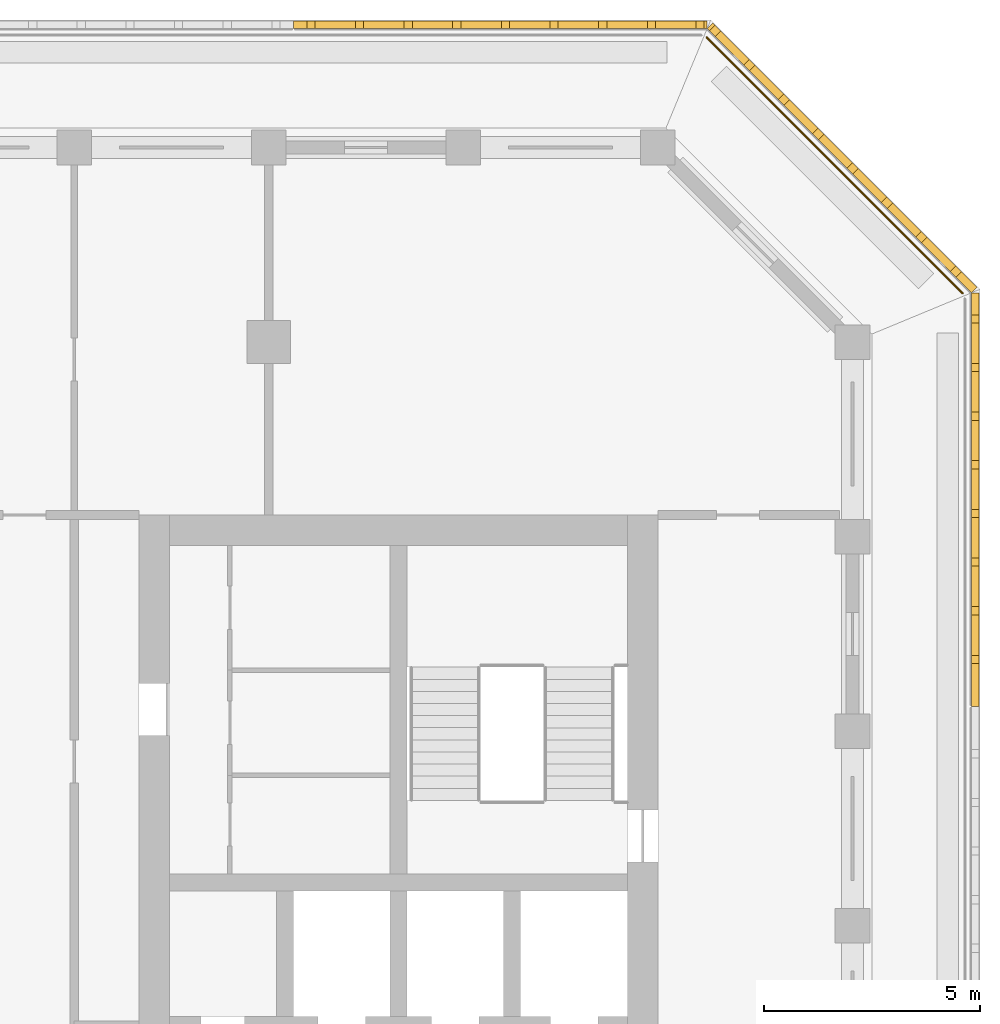
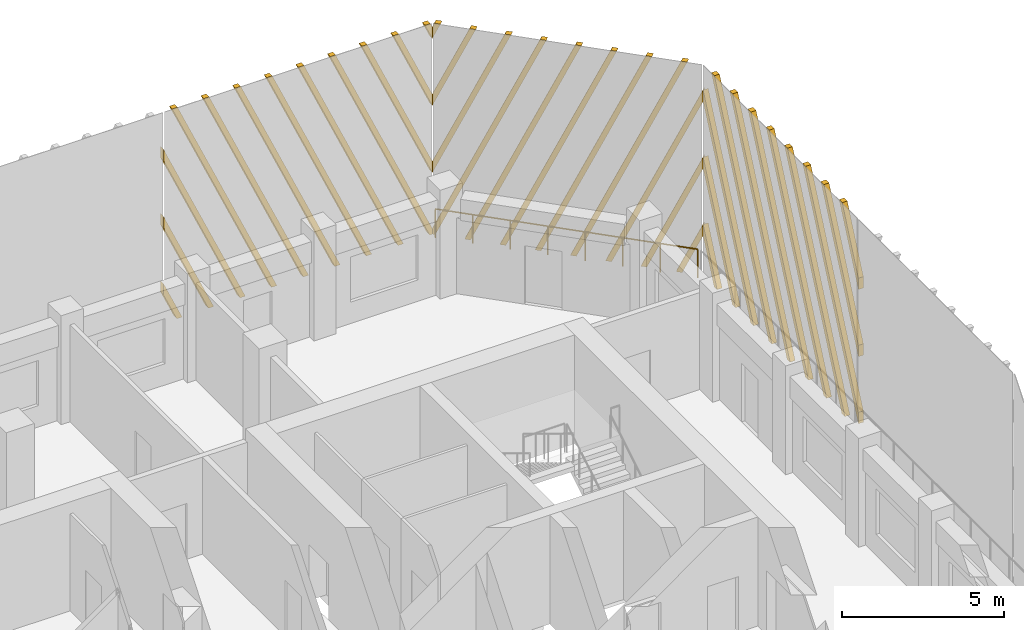
# One storey, part 14 of 15: 3 shading devices, 1 railing.
"""IFC4 building model written with IfcOpenShell, lengths in metres."""

from ifc_helpers import new_model, si_unit, direction, frame, origin, origin_2d, place, context, subcontext, project, spatial, polyline, circle, outline, extrude, source, transform, mapped, material, type_object, element, save


model = new_model("IFC4")

# Units and contexts
model_context = context("Model", 3, precision=1e-05, world=origin(), true_north=direction((0.0, 1.0)))
body_context = subcontext(model_context, "Body", "Model", "MODEL_VIEW")
ifc_project = project(units=[si_unit("LENGTHUNIT", "METRE"), si_unit("AREAUNIT", "SQUARE_METRE"), si_unit("VOLUMEUNIT", "CUBIC_METRE"), si_unit("PLANEANGLEUNIT", "RADIAN"), si_unit("MASSUNIT", "GRAM", prefix="KILO")], contexts=[model_context])

# Site, building, storey
site_placement = place(None, origin())
site = spatial("IfcSite", under=ifc_project, at=site_placement, CompositionType="ELEMENT")
building_placement = place(site_placement, origin())
building = spatial("IfcBuilding", under=site, at=building_placement, Name="Corbel Stack Research Tower", CompositionType="ELEMENT")
storey_placement = place(building_placement, frame((0.0, 0.0, 282.699951171875)))
storey = spatial("IfcBuildingStorey", under=building, at=storey_placement, Name="L64", CompositionType="ELEMENT", Elevation=282.699951171875)

# Railing
ifc_material_1 = material(Name="Powder-coated steel guard", Category="steel")
railing_type = type_object("IfcRailingType", Name="Steel and glass guard 1100", PredefinedType="GUARDRAIL", material=ifc_material_1)
railing_placement = place(storey_placement, frame((25.04931640625, 23.627685546875, 0.0)))
element("IfcRailing", 1, at=railing_placement, inside=storey, type_object=railing_type, Name="Loggia guard L64 NE", PredefinedType="GUARDRAIL", context=body_context, shape_type="SweptSolid", body=[
    extrude(circle(Radius=0.02392578125, at=origin_2d()), frame((0.0, 0.0, 1.076171875), z_axis=(-0.707106781187, 0.707106781187, 0.0), x_axis=(-0.707106781187, -0.707106781187, 0.0)), (0.0, 0.0, 1.0), 8.37451171875),
    extrude(circle(Radius=0.02099609375, at=origin_2d()), origin(), (0.0, 0.0, 1.0), 1.052001953125),
    extrude(circle(Radius=0.02099609375, at=origin_2d()), frame((-0.845947265625, 0.845947265625, 0.0)), (0.0, 0.0, 1.0), 1.052001953125),
    extrude(circle(Radius=0.02099609375, at=origin_2d()), frame((-1.69189453125, 1.69189453125, 0.0)), (0.0, 0.0, 1.0), 1.052001953125),
    extrude(circle(Radius=0.02099609375, at=origin_2d()), frame((-2.537841796875, 2.537841796875, 0.0)), (0.0, 0.0, 1.0), 1.052001953125),
    extrude(circle(Radius=0.02099609375, at=origin_2d()), frame((-3.3837890625, 3.3837890625, 0.0)), (0.0, 0.0, 1.0), 1.052001953125),
    extrude(circle(Radius=0.02099609375, at=origin_2d()), frame((-4.229736328125, 4.229736328125, 0.0)), (0.0, 0.0, 1.0), 1.052001953125),
    extrude(circle(Radius=0.02099609375, at=origin_2d()), frame((-5.07568359375, 5.07568359375, 0.0)), (0.0, 0.0, 1.0), 1.052001953125),
    extrude(circle(Radius=0.02099609375, at=origin_2d()), frame((-5.921630859375, 5.921630859375, 0.0)), (0.0, 0.0, 1.0), 1.052001953125),
])

# Shading devices
ifc_material_2 = material(Name="Precast terracotta", Category="masonry")
shading_device_type = type_object("IfcShadingDeviceType", Name="Terracotta screen panel", PredefinedType="USERDEFINED", material=ifc_material_2)
shared_shape_1 = source(origin(), body_context, "Body", "SweptSolid", [
    extrude(outline(polyline([(0.259521484375, 7.949951171875), (0.069580078125, 7.949951171875), (0.0, 7.793701171875), (0.0, 7.366943359375), (0.259521484375, 7.949951171875)])), frame((0.0, 0.0, 0.0), z_axis=(0.0, -1.0, 0.0), x_axis=(1.0, 0.0, 0.0)), (0.0, 0.0, 1.0), 0.179931640625),
    extrude(outline(polyline([(1.384521484375, 7.949951171875), (1.194580078125, 7.949951171875), (0.0, 5.26708984375), (0.0, 4.840087890625), (1.384521484375, 7.949951171875)])), frame((0.0, 0.0, 0.0), z_axis=(0.0, -1.0, 0.0), x_axis=(1.0, 0.0, 0.0)), (0.0, 0.0, 1.0), 0.179931640625),
    extrude(outline(polyline([(2.509521484375, 7.949951171875), (2.319580078125, 7.949951171875), (0.0, 2.740234375), (0.0, 2.3134765625), (2.509521484375, 7.949951171875)])), frame((0.0, 0.0, 0.0), z_axis=(0.0, -1.0, 0.0), x_axis=(1.0, 0.0, 0.0)), (0.0, 0.0, 1.0), 0.179931640625),
    extrude(outline(polyline([(0.094970703125, 0.0), (3.634521484375, 7.949951171875), (3.444580078125, 7.949951171875), (0.0, 0.21337890625), (0.0, 0.0), (0.094970703125, 0.0)])), frame((0.0, 0.0, 0.0), z_axis=(0.0, -1.0, 0.0), x_axis=(1.0, 0.0, 0.0)), (0.0, 0.0, 1.0), 0.179931640625),
    extrude(outline(polyline([(1.219970703125, 0.0), (4.759521484375, 7.949951171875), (4.569580078125, 7.949951171875), (1.030029296875, 0.0), (1.219970703125, 0.0)])), frame((0.0, 0.0, 0.0), z_axis=(0.0, -1.0, 0.0), x_axis=(1.0, 0.0, 0.0)), (0.0, 0.0, 1.0), 0.179931640625),
    extrude(outline(polyline([(2.344970703125, 0.0), (5.884521484375, 7.949951171875), (5.694580078125, 7.949951171875), (2.155029296875, 0.0), (2.344970703125, 0.0)])), frame((0.0, 0.0, 0.0), z_axis=(0.0, -1.0, 0.0), x_axis=(1.0, 0.0, 0.0)), (0.0, 0.0, 1.0), 0.179931640625),
    extrude(outline(polyline([(3.469970703125, 0.0), (7.009521484375, 7.949951171875), (6.819580078125, 7.949951171875), (3.280029296875, 0.0), (3.469970703125, 0.0)])), frame((0.0, 0.0, 0.0), z_axis=(0.0, -1.0, 0.0), x_axis=(1.0, 0.0, 0.0)), (0.0, 0.0, 1.0), 0.179931640625),
    extrude(outline(polyline([(4.594970703125, 0.0), (8.134521484375, 7.949951171875), (7.944580078125, 7.949951171875), (4.405029296875, 0.0), (4.594970703125, 0.0)])), frame((0.0, 0.0, 0.0), z_axis=(0.0, -1.0, 0.0), x_axis=(1.0, 0.0, 0.0)), (0.0, 0.0, 1.0), 0.179931640625),
    extrude(outline(polyline([(5.719970703125, 0.0), (9.259521484375, 7.949951171875), (9.069580078125, 7.949951171875), (5.530029296875, 0.0), (5.719970703125, 0.0)])), frame((0.0, 0.0, 0.0), z_axis=(0.0, -1.0, 0.0), x_axis=(1.0, 0.0, 0.0)), (0.0, 0.0, 1.0), 0.179931640625),
    extrude(outline(polyline([(6.844970703125, 0.0), (9.569580078125, 6.119384765625), (9.569580078125, 6.546142578125), (6.655029296875, 0.0), (6.844970703125, 0.0)])), frame((0.0, 0.0, 0.0), z_axis=(0.0, -1.0, 0.0), x_axis=(1.0, 0.0, 0.0)), (0.0, 0.0, 1.0), 0.179931640625),
    extrude(outline(polyline([(7.969970703125, 0.0), (9.569580078125, 3.592529296875), (9.569580078125, 4.019287109375), (7.780029296875, 0.0), (7.969970703125, 0.0)])), frame((0.0, 0.0, 0.0), z_axis=(0.0, -1.0, 0.0), x_axis=(1.0, 0.0, 0.0)), (0.0, 0.0, 1.0), 0.179931640625),
    extrude(outline(polyline([(9.094970703125, 0.0), (9.569580078125, 1.06591796875), (9.569580078125, 1.49267578125), (8.905029296875, 0.0), (9.094970703125, 0.0)])), frame((0.0, 0.0, 0.0), z_axis=(0.0, -1.0, 0.0), x_axis=(1.0, 0.0, 0.0)), (0.0, 0.0, 1.0), 0.179931640625),
])
shading_device_1_placement = place(storey_placement, frame((19.13916015625, 29.75, 0.0), z_axis=(0.0, 0.0, 1.0), x_axis=(-1.0, 0.0, 0.0)))
element("IfcShadingDevice", 2, at=shading_device_1_placement, inside=storey, type_object=shading_device_type, Name="Terracotta screen L64 N1", ObjectType="SCREEN", PredefinedType="USERDEFINED", context=body_context, shape_type="MappedRepresentation", body=[
    mapped(shared_shape_1, transform((0.0, 0.0, 0.0))),
])
shared_shape_2 = source(origin(), body_context, "Body", "SweptSolid", [
    extrude(outline(polyline([(0.862060546875, 0.0), (0.0, 1.936279296875), (0.0, 1.509521484375), (0.672119140625, 0.0), (0.862060546875, 0.0)])), frame((0.0, 0.0, 0.0), z_axis=(0.0, -1.0, 0.0), x_axis=(1.0, 0.0, 0.0)), (0.0, 0.0, 1.0), 0.179931640625),
    extrude(outline(polyline([(1.987060546875, 0.0), (0.0, 4.463134765625), (0.0, 4.036376953125), (1.797119140625, 0.0), (1.987060546875, 0.0)])), frame((0.0, 0.0, 0.0), z_axis=(0.0, -1.0, 0.0), x_axis=(1.0, 0.0, 0.0)), (0.0, 0.0, 1.0), 0.179931640625),
    extrude(outline(polyline([(3.112060546875, 0.0), (0.0, 6.989990234375), (0.0, 6.563232421875), (2.922119140625, 0.0), (3.112060546875, 0.0)])), frame((0.0, 0.0, 0.0), z_axis=(0.0, -1.0, 0.0), x_axis=(1.0, 0.0, 0.0)), (0.0, 0.0, 1.0), 0.179931640625),
    extrude(outline(polyline([(4.237060546875, 0.0), (0.697509765625, 7.949951171875), (0.507568359375, 7.949951171875), (4.047119140625, 0.0), (4.237060546875, 0.0)])), frame((0.0, 0.0, 0.0), z_axis=(0.0, -1.0, 0.0), x_axis=(1.0, 0.0, 0.0)), (0.0, 0.0, 1.0), 0.179931640625),
    extrude(outline(polyline([(5.362060546875, 0.0), (1.822509765625, 7.949951171875), (1.632568359375, 7.949951171875), (5.172119140625, 0.0), (5.362060546875, 0.0)])), frame((0.0, 0.0, 0.0), z_axis=(0.0, -1.0, 0.0), x_axis=(1.0, 0.0, 0.0)), (0.0, 0.0, 1.0), 0.179931640625),
    extrude(outline(polyline([(6.487060546875, 0.0), (2.947509765625, 7.949951171875), (2.757568359375, 7.949951171875), (6.297119140625, 0.0), (6.487060546875, 0.0)])), frame((0.0, 0.0, 0.0), z_axis=(0.0, -1.0, 0.0), x_axis=(1.0, 0.0, 0.0)), (0.0, 0.0, 1.0), 0.179931640625),
    extrude(outline(polyline([(7.612060546875, 0.0), (4.072509765625, 7.949951171875), (3.882568359375, 7.949951171875), (7.422119140625, 0.0), (7.612060546875, 0.0)])), frame((0.0, 0.0, 0.0), z_axis=(0.0, -1.0, 0.0), x_axis=(1.0, 0.0, 0.0)), (0.0, 0.0, 1.0), 0.179931640625),
    extrude(outline(polyline([(8.64208984375, 0.0), (8.64208984375, 0.21337890625), (5.197509765625, 7.949951171875), (5.007568359375, 7.949951171875), (8.547119140625, 0.0), (8.64208984375, 0.0)])), frame((0.0, 0.0, 0.0), z_axis=(0.0, -1.0, 0.0), x_axis=(1.0, 0.0, 0.0)), (0.0, 0.0, 1.0), 0.179931640625),
    extrude(outline(polyline([(6.322509765625, 7.949951171875), (6.132568359375, 7.949951171875), (8.64208984375, 2.3134765625), (8.64208984375, 2.740234375), (6.322509765625, 7.949951171875)])), frame((0.0, 0.0, 0.0), z_axis=(0.0, -1.0, 0.0), x_axis=(1.0, 0.0, 0.0)), (0.0, 0.0, 1.0), 0.179931640625),
    extrude(outline(polyline([(7.447509765625, 7.949951171875), (7.257568359375, 7.949951171875), (8.64208984375, 4.840087890625), (8.64208984375, 5.26708984375), (7.447509765625, 7.949951171875)])), frame((0.0, 0.0, 0.0), z_axis=(0.0, -1.0, 0.0), x_axis=(1.0, 0.0, 0.0)), (0.0, 0.0, 1.0), 0.179931640625),
    extrude(outline(polyline([(8.572509765625, 7.949951171875), (8.382568359375, 7.949951171875), (8.64208984375, 7.366943359375), (8.64208984375, 7.793701171875), (8.572509765625, 7.949951171875)])), frame((0.0, 0.0, 0.0), z_axis=(0.0, -1.0, 0.0), x_axis=(1.0, 0.0, 0.0)), (0.0, 0.0, 1.0), 0.179931640625),
])
shading_device_2_placement = place(storey_placement, frame((25.25, 23.63916015625, 0.0), z_axis=(0.0, 0.0, 1.0), x_axis=(-0.707106781187, 0.707106781187, 0.0)))
element("IfcShadingDevice", 3, at=shading_device_2_placement, inside=storey, type_object=shading_device_type, Name="Terracotta screen L64 NE1", ObjectType="SCREEN", PredefinedType="USERDEFINED", context=body_context, shape_type="MappedRepresentation", body=[
    mapped(shared_shape_2, transform((0.0, 0.0, 0.0))),
])
shared_shape_3 = source(origin(), body_context, "Body", "SweptSolid", [
    extrude(outline(polyline([(1.18701171875, 7.949951171875), (0.9970703125, 7.949951171875), (0.0, 5.710693359375), (0.0, 5.283935546875), (1.18701171875, 7.949951171875)])), frame((0.0, 0.0, 0.0), z_axis=(0.0, -1.0, 0.0), x_axis=(1.0, 0.0, 0.0)), (0.0, 0.0, 1.0), 0.179931640625),
    extrude(outline(polyline([(2.31201171875, 7.949951171875), (2.1220703125, 7.949951171875), (0.0, 3.18408203125), (0.0, 2.757080078125), (2.31201171875, 7.949951171875)])), frame((0.0, 0.0, 0.0), z_axis=(0.0, -1.0, 0.0), x_axis=(1.0, 0.0, 0.0)), (0.0, 0.0, 1.0), 0.179931640625),
    extrude(outline(polyline([(3.43701171875, 7.949951171875), (3.2470703125, 7.949951171875), (0.0, 0.6572265625), (0.0, 0.23046875), (3.43701171875, 7.949951171875)])), frame((0.0, 0.0, 0.0), z_axis=(0.0, -1.0, 0.0), x_axis=(1.0, 0.0, 0.0)), (0.0, 0.0, 1.0), 0.179931640625),
    extrude(outline(polyline([(1.0224609375, 0.0), (4.56201171875, 7.949951171875), (4.3720703125, 7.949951171875), (0.83251953125, 0.0), (1.0224609375, 0.0)])), frame((0.0, 0.0, 0.0), z_axis=(0.0, -1.0, 0.0), x_axis=(1.0, 0.0, 0.0)), (0.0, 0.0, 1.0), 0.179931640625),
    extrude(outline(polyline([(2.1474609375, 0.0), (5.68701171875, 7.949951171875), (5.4970703125, 7.949951171875), (1.95751953125, 0.0), (2.1474609375, 0.0)])), frame((0.0, 0.0, 0.0), z_axis=(0.0, -1.0, 0.0), x_axis=(1.0, 0.0, 0.0)), (0.0, 0.0, 1.0), 0.179931640625),
    extrude(outline(polyline([(3.2724609375, 0.0), (6.81201171875, 7.949951171875), (6.6220703125, 7.949951171875), (3.08251953125, 0.0), (3.2724609375, 0.0)])), frame((0.0, 0.0, 0.0), z_axis=(0.0, -1.0, 0.0), x_axis=(1.0, 0.0, 0.0)), (0.0, 0.0, 1.0), 0.179931640625),
    extrude(outline(polyline([(4.3974609375, 0.0), (7.93701171875, 7.949951171875), (7.7470703125, 7.949951171875), (4.20751953125, 0.0), (4.3974609375, 0.0)])), frame((0.0, 0.0, 0.0), z_axis=(0.0, -1.0, 0.0), x_axis=(1.0, 0.0, 0.0)), (0.0, 0.0, 1.0), 0.179931640625),
    extrude(outline(polyline([(5.5224609375, 0.0), (9.06201171875, 7.949951171875), (8.8720703125, 7.949951171875), (5.33251953125, 0.0), (5.5224609375, 0.0)])), frame((0.0, 0.0, 0.0), z_axis=(0.0, -1.0, 0.0), x_axis=(1.0, 0.0, 0.0)), (0.0, 0.0, 1.0), 0.179931640625),
    extrude(outline(polyline([(6.6474609375, 0.0), (9.569580078125, 6.563232421875), (9.569580078125, 6.989990234375), (6.45751953125, 0.0), (6.6474609375, 0.0)])), frame((0.0, 0.0, 0.0), z_axis=(0.0, -1.0, 0.0), x_axis=(1.0, 0.0, 0.0)), (0.0, 0.0, 1.0), 0.179931640625),
    extrude(outline(polyline([(7.7724609375, 0.0), (9.569580078125, 4.036376953125), (9.569580078125, 4.463134765625), (7.58251953125, 0.0), (7.7724609375, 0.0)])), frame((0.0, 0.0, 0.0), z_axis=(0.0, -1.0, 0.0), x_axis=(1.0, 0.0, 0.0)), (0.0, 0.0, 1.0), 0.179931640625),
    extrude(outline(polyline([(8.8974609375, 0.0), (9.569580078125, 1.509521484375), (9.569580078125, 1.936279296875), (8.70751953125, 0.0), (8.8974609375, 0.0)])), frame((0.0, 0.0, 0.0), z_axis=(0.0, -1.0, 0.0), x_axis=(1.0, 0.0, 0.0)), (0.0, 0.0, 1.0), 0.179931640625),
])
shading_device_3_placement = place(storey_placement, frame((25.25, 14.069580078125, 0.0), z_axis=(0.0, 0.0, 1.0), x_axis=(0.0, 1.0, 0.0)))
element("IfcShadingDevice", 4, at=shading_device_3_placement, inside=storey, type_object=shading_device_type, Name="Terracotta screen L64 E4", ObjectType="SCREEN", PredefinedType="USERDEFINED", context=body_context, shape_type="MappedRepresentation", body=[
    mapped(shared_shape_3, transform((0.0, 0.0, 0.0))),
])

save(model, "model.ifc")
